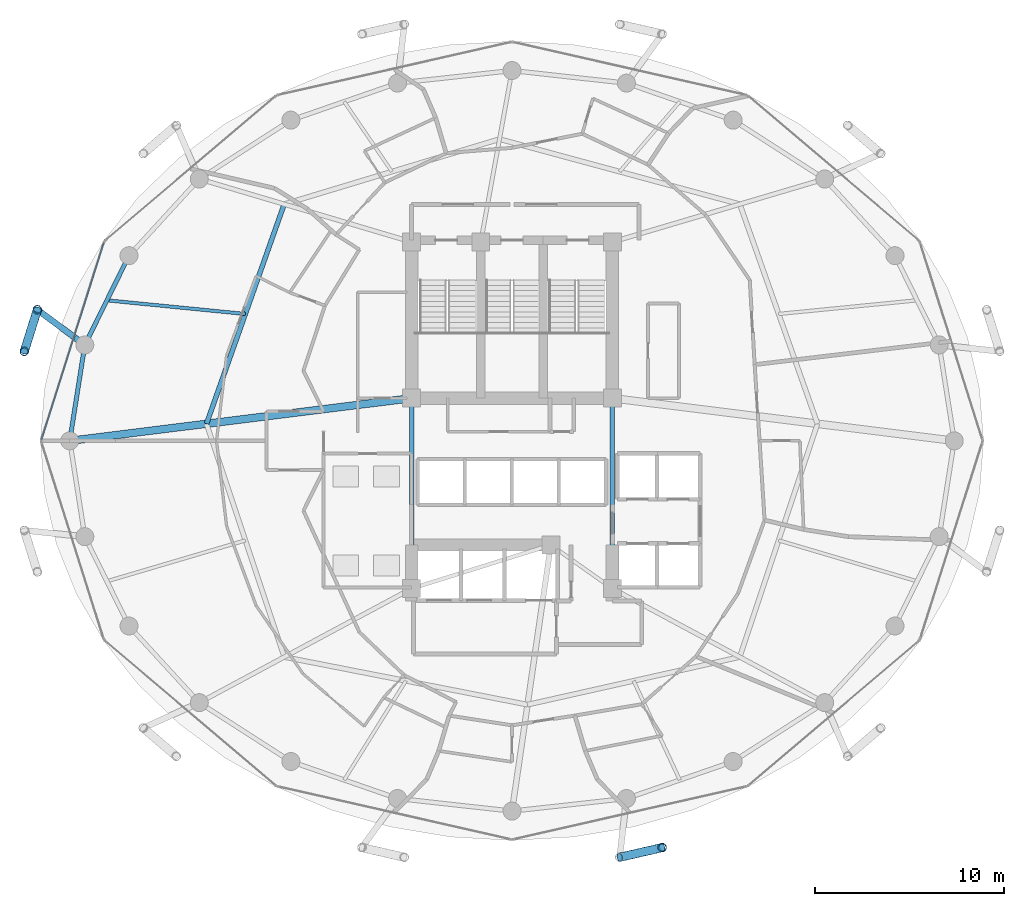
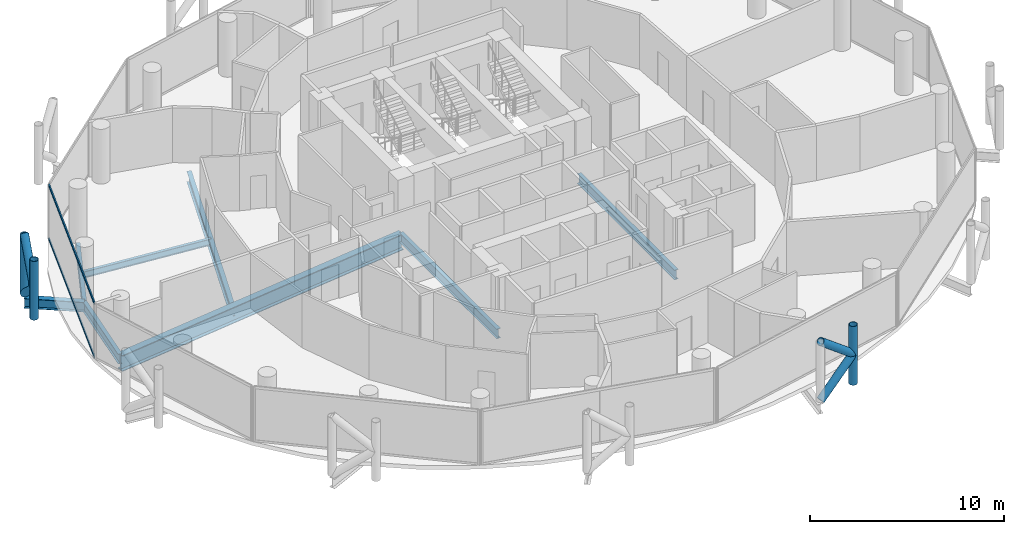
# One storey, part 7 of 26: 9 members, 8 beams, 1 element without a shape of its own.
"""IFC4 building model written with IfcOpenShell, lengths in metres."""

from ifc_helpers import new_model, si_unit, direction, frame, origin, origin_2d, place, context, subcontext, project, spatial, hollow_rectangle, hollow_circle, i_section, extrude, material, layer, layer_set, material_profile, profile_set, type_object, element, aggregate, save


model = new_model("IFC4")

# Units and contexts
model_context = context("Model", 3, precision=1e-05, world=origin(), true_north=direction((0.0, 1.0)))
body_context = subcontext(model_context, "Body", "Model", "MODEL_VIEW")
ifc_project = project(units=[si_unit("LENGTHUNIT", "METRE"), si_unit("AREAUNIT", "SQUARE_METRE"), si_unit("VOLUMEUNIT", "CUBIC_METRE"), si_unit("PLANEANGLEUNIT", "RADIAN"), si_unit("MASSUNIT", "GRAM", prefix="KILO")], contexts=[model_context])

# Site, building, storey
site_placement = place(None, origin())
site = spatial("IfcSite", under=ifc_project, at=site_placement, CompositionType="ELEMENT")
building_placement = place(site_placement, origin())
building = spatial("IfcBuilding", under=site, at=building_placement, Name="Nuhasar Tower", CompositionType="ELEMENT")
storey_placement = place(building_placement, frame((0.0, 0.0, 118.25)))
storey = spatial("IfcBuildingStorey", under=building, at=storey_placement, Name="L27", CompositionType="ELEMENT", Elevation=118.25)

# Beams
ifc_material_1 = material(Name="Steel S355", Category="steel")
ifc_material_profile_1 = material_profile(ifc_material_1, i_section(OverallWidth=0.25390625, OverallDepth=0.68408203125, WebThickness=0.012451171875, FlangeThickness=0.018798828125, at=origin_2d()), Name="W27X94")
ifc_profile_set_1 = profile_set([ifc_material_profile_1], Name="Steel S355")
beam_type_1 = type_object("IfcBeamType", Name="BM-INRING-W27X94", PredefinedType="BEAM", material=ifc_profile_set_1)
beam_1_placement = place(storey_placement, frame((26.972900390625, 39.2939453125, -0.592041015625), z_axis=(-0.333599821096, -0.942714781556, 0.0), x_axis=(0.942714781556, -0.333599821096, 0.0)))
element("IfcBeam", 1, at=beam_1_placement, inside=storey, type_object=beam_type_1, Name="L27 Inner Header Beam 07", PredefinedType="BEAM", context=body_context, shape_type="SweptSolid", body=[
    extrude(i_section(OverallWidth=0.25390625, OverallDepth=0.68408203125, WebThickness=0.012451171875, FlangeThickness=0.018798828125, at=origin_2d()), origin(), (0.0, 0.0, 1.0), 12.298583984375),
])
ifc_material_profile_2 = material_profile(ifc_material_1, i_section(OverallWidth=0.177978515625, OverallDepth=0.406005859375, WebThickness=0.0078125, FlangeThickness=0.0126953125, at=origin_2d()), Name="W16X40")
ifc_profile_set_2 = profile_set([ifc_material_profile_2], Name="Steel S355")
beam_type_2 = type_object("IfcBeamType", Name="BM-JST-W16X40", PredefinedType="JOIST", material=ifc_profile_set_2)
beam_2_placement = place(storey_placement, frame((24.922119140625, 33.4970703125, -0.452880859375), z_axis=(-0.995171845755, 0.098147834497, 0.0), x_axis=(-0.098147834497, -0.995171845755, 0.0)))
element("IfcBeam", 2, at=beam_2_placement, inside=storey, type_object=beam_type_2, Name="L27 Secondary Floor Joist 07", PredefinedType="JOIST", context=body_context, shape_type="SweptSolid", body=[
    extrude(i_section(OverallWidth=0.177978515625, OverallDepth=0.406005859375, WebThickness=0.0078125, FlangeThickness=0.0126953125, at=origin_2d()), origin(), (0.0, 0.0, 1.0), 7.345458984375),
])
ifc_material_profile_3 = material_profile(ifc_material_1, i_section(OverallWidth=0.22900390625, OverallDepth=0.612060546875, WebThickness=0.011962890625, FlangeThickness=0.01953125, at=origin_2d()), Name="W24X84")
ifc_profile_set_3 = profile_set([ifc_material_profile_3], Name="Steel S355")
beam_type_3 = type_object("IfcBeamType", Name="BM-RAD-W24X84", PredefinedType="BEAM", material=ifc_profile_set_3)
for number, where, z_axis, x_axis, name in (
    (3, (44.300048828125, 19.0, -0.555908203125), (0.0, 1.0, 0.0), (-1.0, 0.0, 0.0), "L27 Core Ring Girder 3"),
    (4, (33.699951171875, 29.050048828125, -0.555908203125), (0.0, -1.0, 0.0), (1.0, 0.0, 0.0), "L27 Core Ring Girder 8"),
):
    element("IfcBeam", number, at=place(storey_placement, frame(where, z_axis=z_axis, x_axis=x_axis)), inside=storey, type_object=beam_type_3, Name=name, PredefinedType="BEAM", context=body_context, shape_type="SweptSolid", body=[
        extrude(i_section(OverallWidth=0.22900390625, OverallDepth=0.612060546875, WebThickness=0.011962890625, FlangeThickness=0.01953125, at=origin_2d()), origin(), (0.0, 0.0, 1.0), 10.050048828125),
    ])
ifc_material_profile_4 = material_profile(ifc_material_1, i_section(OverallWidth=0.22998046875, OverallDepth=0.616943359375, WebThickness=0.01318359375, FlangeThickness=0.022216796875, at=origin_2d()), Name="W24X94")
ifc_profile_set_4 = profile_set([ifc_material_profile_4], Name="Steel S355")
beam_type_4 = type_object("IfcBeamType", Name="BM-RING-W24X94", PredefinedType="SPANDREL", material=ifc_profile_set_4)
beam_3_placement = place(storey_placement, frame((18.778076171875, 36.574951171875, -0.55810546875), z_axis=(-0.443347771709, -0.896349682501, 0.0), x_axis=(0.896349682501, -0.443347771709, 0.0)))
element("IfcBeam", 5, at=beam_3_placement, inside=storey, type_object=beam_type_4, Name="L27 Perimeter Ring Spandrel 11", PredefinedType="SPANDREL", context=body_context, shape_type="SweptSolid", body=[
    extrude(i_section(OverallWidth=0.22998046875, OverallDepth=0.616943359375, WebThickness=0.01318359375, FlangeThickness=0.022216796875, at=origin_2d()), origin(), (0.0, 0.0, 1.0), 5.260009765625),
])
beam_4_placement = place(storey_placement, frame((16.446044921875, 31.860107421875, -0.55810546875), z_axis=(-0.155426543608, -0.987847452566, 0.0), x_axis=(0.987847452566, -0.155426543608, 0.0)))
element("IfcBeam", 6, at=beam_4_placement, inside=storey, type_object=beam_type_4, Name="L27 Perimeter Ring Spandrel 12", PredefinedType="SPANDREL", context=body_context, shape_type="SweptSolid", body=[
    extrude(i_section(OverallWidth=0.22998046875, OverallDepth=0.616943359375, WebThickness=0.01318359375, FlangeThickness=0.022216796875, at=origin_2d()), origin(), (0.0, 0.0, 1.0), 5.122314453125),
])
ifc_material_profile_5 = material_profile(ifc_material_1, i_section(OverallWidth=0.323974609375, OverallDepth=0.611083984375, WebThickness=0.0126953125, FlangeThickness=0.01904296875, at=origin_2d()), Name="W24X104")
ifc_profile_set_5 = profile_set([ifc_material_profile_5], Name="Steel S355")
beam_type_5 = type_object("IfcBeamType", Name="BM-TIE-W24X104", PredefinedType="BEAM", material=ifc_profile_set_5)
beam_5_placement = place(storey_placement, frame((16.446044921875, 31.860107421875, -0.554931640625), z_axis=(-0.802872198291, 0.596151183183, 0.0), x_axis=(-0.596151183183, -0.802872198291, 0.0)))
element("IfcBeam", 7, at=beam_5_placement, inside=storey, type_object=beam_type_5, Name="L27 Exoskeleton Node Tie Beam 06", PredefinedType="BEAM", context=body_context, shape_type="SweptSolid", body=[
    extrude(i_section(OverallWidth=0.323974609375, OverallDepth=0.611083984375, WebThickness=0.0126953125, FlangeThickness=0.01904296875, at=origin_2d()), origin(), (0.0, 0.0, 1.0), 3.121337890625),
])
ifc_material_2 = material(Name="Steel S460", Category="steel")
ifc_material_profile_6 = material_profile(ifc_material_2, i_section(OverallWidth=0.40087890625, OverallDepth=1.010009765625, WebThickness=0.023681640625, FlangeThickness=0.0419921875, at=origin_2d()), Name="W40X297")
ifc_profile_set_6 = profile_set([ifc_material_profile_6], Name="Steel S460")
beam_type_6 = type_object("IfcBeamType", Name="BM-XFER-W40X297", PredefinedType="USERDEFINED", material=ifc_profile_set_6)
beam_6_placement = place(storey_placement, frame((33.699951171875, 29.050048828125, -0.7548828125), z_axis=(-0.992320149485, -0.123696082908, 0.0), x_axis=(0.123696082908, -0.992320149485, 0.0)))
element("IfcBeam", 8, at=beam_6_placement, inside=storey, type_object=beam_type_6, Name="L27 Radial Floor Girder 08", ObjectType="GIRDER", PredefinedType="USERDEFINED", context=body_context, shape_type="SweptSolid", body=[
    extrude(i_section(OverallWidth=0.40087890625, OverallDepth=1.010009765625, WebThickness=0.023681640625, FlangeThickness=0.0419921875, at=origin_2d()), origin(), (0.0, 0.0, 1.0), 18.189697265625),
])

# Curtain wall, members
ifc_material_3 = material(Name="Aluminium 6063-T6", Category="aluminium")
ifc_layer = layer(ifc_material_3, 0.199951171875)
ifc_layer_set = layer_set([ifc_layer], Name="Aluminium 6063-T6")
curtain_wall_type = type_object("IfcCurtainWallType", Name="CW-Z2-HTL", PredefinedType="NOTDEFINED", material=ifc_layer_set)
curtain_wall_placement = place(storey_placement, origin())
curtain_wall = element("IfcCurtainWall", 9, at=curtain_wall_placement, inside=storey, type_object=curtain_wall_type, Name="L27 Unitised Curtain Wall 06", PredefinedType="NOTDEFINED")
ifc_material_profile_7 = material_profile(ifc_material_3, hollow_rectangle(XDim=0.070068359375, YDim=0.159912109375, WallThickness=0.00439453125, at=origin_2d()), Name="CWT-3")
ifc_profile_set_7 = profile_set([ifc_material_profile_7], Name="Aluminium 6063-T6")
member_type_1 = type_object("IfcMemberType", Name="CW-TRN-S3", PredefinedType="USERDEFINED", material=ifc_profile_set_7)
member_1_placement = place(storey_placement, frame((17.449951171875, 37.26318359375, 0.034912109375), z_axis=(-0.301608163352, -0.953431967053, 0.0), x_axis=(0.953431967053, -0.301608163352, 0.0)))
member_1 = element("IfcMember", 10, at=member_1_placement, type_object=member_type_1, Name="CW-Z2 transom 1.1", ObjectType="TRANSOM", PredefinedType="USERDEFINED", context=body_context, shape_type="SweptSolid", body=[
    extrude(hollow_rectangle(XDim=0.070068359375, YDim=0.159912109375, WallThickness=0.00439453125, at=origin_2d()), origin(), (0.0, 0.0, 1.0), 10.904296875),
])
member_2_placement = place(storey_placement, frame((17.449951171875, 37.26318359375, 3.4150390625), z_axis=(-0.301608163352, -0.953431967053, 0.0), x_axis=(0.953431967053, -0.301608163352, 0.0)))
member_2 = element("IfcMember", 11, at=member_2_placement, type_object=member_type_1, Name="CW-Z2 transom 1.2", ObjectType="TRANSOM", PredefinedType="USERDEFINED", context=body_context, shape_type="SweptSolid", body=[
    extrude(hollow_rectangle(XDim=0.070068359375, YDim=0.159912109375, WallThickness=0.00439453125, at=origin_2d()), origin(), (0.0, 0.0, 1.0), 10.904296875),
])
aggregate(curtain_wall, [member_1, member_2])

# Members
ifc_material_profile_8 = material_profile(ifc_material_2, hollow_circle(Radius=0.228515625, WallThickness=0.022216796875, at=origin_2d()), Name="HSS457X22.2")
ifc_profile_set_8 = profile_set([ifc_material_profile_8], Name="Steel S460")
member_type_2 = type_object("IfcMemberType", Name="EXO-BRONZE-457", PredefinedType="BRACE", material=ifc_profile_set_8)
for number, where, z_axis, x_axis, name in (
    (12, (13.93994140625, 33.720947265625, 0.0), (0.0, 0.0, 1.0), (1.0, 0.0, 0.0), "L27 Exoskeleton Chord Column EC-06A"),
    (13, (13.251953125, 31.52587890625, 0.0), (0.0, 0.0, 1.0), (1.0, 0.0, 0.0), "L27 Exoskeleton Chord Column EC-06B"),
    (14, (46.927978515625, 5.323974609375, 0.0), (0.0, 0.0, 1.0), (1.0, 0.0, 0.0), "L27 Exoskeleton Chord Column EC-10B"),
):
    element("IfcMember", number, at=place(storey_placement, frame(where, z_axis=z_axis, x_axis=x_axis)), inside=storey, type_object=member_type_2, Name=name, PredefinedType="BRACE", context=body_context, shape_type="SweptSolid", body=[
        extrude(hollow_circle(Radius=0.228515625, WallThickness=0.022216796875, at=origin_2d()), origin(), (0.0, 0.0, 1.0), 3.699951171875),
    ])
member_3_placement = place(storey_placement, frame((13.93994140625, 33.720947265625, 0.0), z_axis=(-0.233055548538, -0.743577869731, 0.626719285599), x_axis=(0.954228474306, -0.29907861646, 0.0)))
element("IfcMember", 15, at=member_3_placement, inside=storey, type_object=member_type_2, Name="L27 Bronze Diagrid Brace W1-06", PredefinedType="BRACE", context=body_context, shape_type="SweptSolid", body=[
    extrude(hollow_circle(Radius=0.228515625, WallThickness=0.022216796875, at=origin_2d()), origin(), (0.0, 0.0, 1.0), 2.9521484375),
])
for number, where, z_axis, x_axis, name in (
    (16, (13.251953125, 31.52587890625, 1.85009765625), (0.233067628236, 0.74361641074, 0.626669062861), (-0.954228474306, 0.29907861646, 0.0), "L27 Bronze Diagrid Brace W2-06"),
    (17, (44.68603515625, 4.81005859375, 0.0), (0.759510488094, 0.174101010284, 0.626763637022), (-0.223432882746, 0.974719316987, 0.0), "L27 Bronze Diagrid Brace W1-10"),
):
    element("IfcMember", number, at=place(storey_placement, frame(where, z_axis=z_axis, x_axis=x_axis)), inside=storey, type_object=member_type_2, Name=name, PredefinedType="BRACE", context=body_context, shape_type="SweptSolid", body=[
        extrude(hollow_circle(Radius=0.228515625, WallThickness=0.022216796875, at=origin_2d()), origin(), (0.0, 0.0, 1.0), 2.951904296875),
    ])
member_4_placement = place(storey_placement, frame((46.927978515625, 5.323974609375, 1.85009765625), z_axis=(-0.759549860492, -0.174110035537, 0.626713415327), x_axis=(0.223432882746, -0.974719316987, 0.0)))
element("IfcMember", 18, at=member_4_placement, inside=storey, type_object=member_type_2, Name="L27 Bronze Diagrid Brace W2-10", PredefinedType="BRACE", context=body_context, shape_type="SweptSolid", body=[
    extrude(hollow_circle(Radius=0.228515625, WallThickness=0.022216796875, at=origin_2d()), origin(), (0.0, 0.0, 1.0), 2.95166015625),
])

save(model, "model.ifc")
